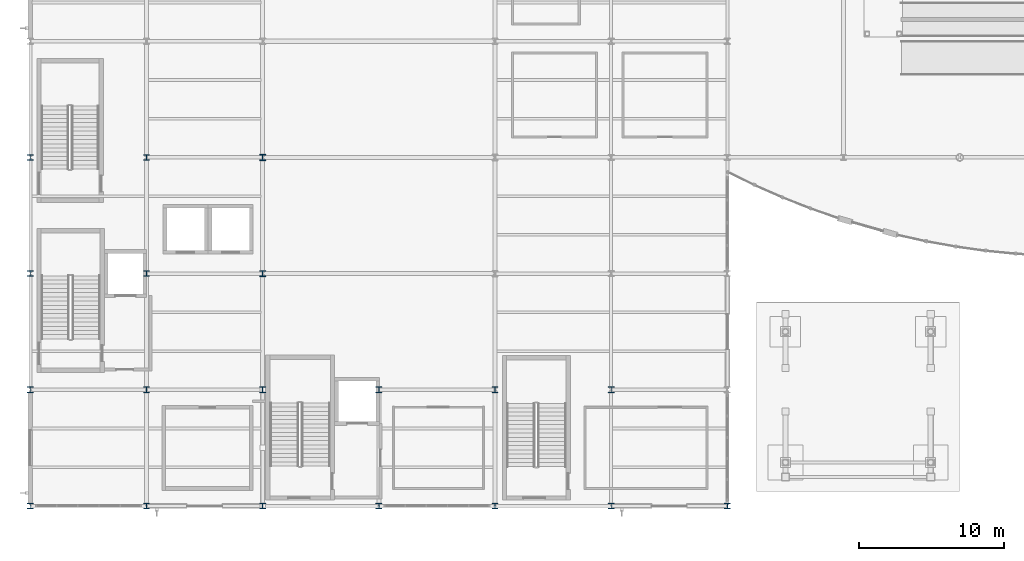
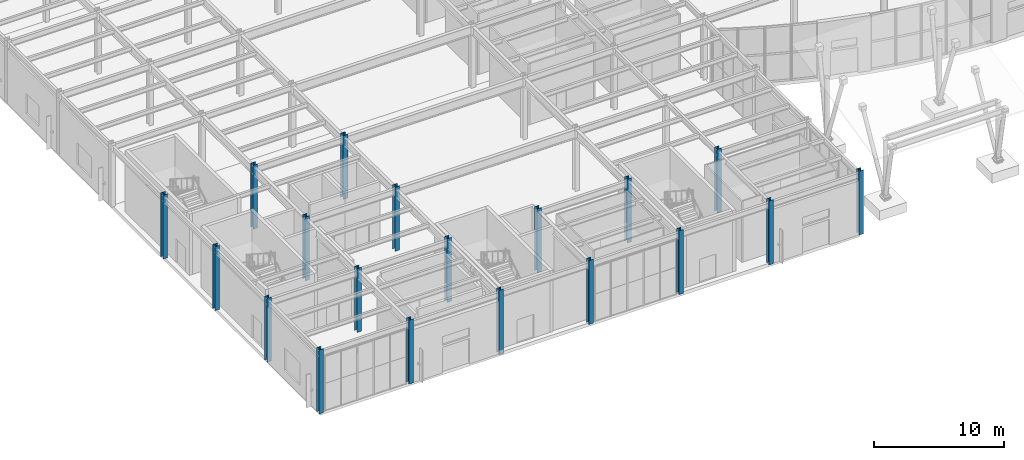
# One storey, part 5 of 82: 19 columns.
"""IFC4 building model written with IfcOpenShell, lengths in metres."""

import ifcopenshell
import ifcopenshell.guid

model = None  # the IFC model being written
_history = None  # IfcOwnerHistory: only IFC2X3 demands one
_inside = {}  # id of a spatial element -> (the spatial element, [elements in it])
_under = {}  # id of a project, library or spatial element -> (it, [spatial elements below it])
_declared = {}  # id of a project -> (the project, [libraries it declares])
_typed = {}  # id of a type object -> (the type object, [elements of that type])
_made_of = {}  # id of a material, layer set ... -> (it, [elements and type objects made of it])


def new_model(schema):
    """Start an empty IFC model of exactly this schema.

    Asked for "IFC4X3", IfcOpenShell would pick the latest addendum, in which some entities
    have other attributes; the version numbers below select the first issue.
    IFC2X3 requires an IfcOwnerHistory on every rooted entity: one is made here for all.
    """
    global model, _history
    if schema == "IFC4X3":
        model = ifcopenshell.file(schema_version=(4, 3, 0, 0))
    else:
        model = ifcopenshell.file(schema=schema)
    _inside.clear()
    _under.clear()
    _declared.clear()
    _typed.clear()
    _made_of.clear()
    _history = None
    if model.schema == "IFC2X3":
        org = make("IfcOrganization", Name="unknown")
        user = make(
            "IfcPersonAndOrganization",
            ThePerson=make("IfcPerson", FamilyName="unknown"),
            TheOrganization=org,
        )
        app = make(
            "IfcApplication",
            ApplicationDeveloper=org,
            Version="unknown",
            ApplicationFullName="unknown",
            ApplicationIdentifier="unknown",
        )
        _history = make(
            "IfcOwnerHistory",
            OwningUser=user,
            OwningApplication=app,
            ChangeAction="ADDED",
            CreationDate=0,
        )
    return model


def make(cls, **values):
    """One entity of the class cls with the attributes given. An attribute that is None is left unset."""
    return model.create_entity(
        cls, **{name: value for name, value in values.items() if value is not None}
    )


def rooted(cls, **values):
    """An entity with a GlobalId (a new one), such as an element, a storey or a relation."""
    return make(cls, GlobalId=ifcopenshell.guid.new(), OwnerHistory=_history, **values)


def si_unit(unit_type, name, prefix=None):
    """IfcSIUnit, for example si_unit("LENGTHUNIT", "METRE", prefix="MILLI")."""
    return make("IfcSIUnit", UnitType=unit_type, Prefix=prefix, Name=name)


def assignment(units):
    """IfcUnitAssignment: the units of a project."""
    return None if units is None else make("IfcUnitAssignment", Units=units)


def point(xyz):
    """IfcCartesianPoint."""
    return None if xyz is None else make("IfcCartesianPoint", Coordinates=xyz)


def direction(xyz):
    """IfcDirection."""
    return None if xyz is None else make("IfcDirection", DirectionRatios=xyz)


def frame(location, z_axis=None, x_axis=None):
    """IfcAxis2Placement3D, a coordinate frame: its origin and axes. An axis left out is left unset."""
    return make(
        "IfcAxis2Placement3D",
        Location=point(location),
        Axis=direction(z_axis),
        RefDirection=direction(x_axis),
    )


def frame_2d(location, x_axis=None):
    """IfcAxis2Placement2D, a coordinate frame in the plane: its origin and x axis."""
    return make(
        "IfcAxis2Placement2D", Location=point(location), RefDirection=direction(x_axis)
    )


def origin():
    """The frame at (0, 0, 0) with its axes left unset."""
    return frame((0.0, 0.0, 0.0))


def origin_2d():
    """The frame at (0, 0) in the plane with its x axis left unset."""
    return frame_2d((0.0, 0.0))


def place(relative_to, where):
    """IfcLocalPlacement: puts the frame where relative to a parent placement (None: the world)."""
    return make(
        "IfcLocalPlacement", PlacementRelTo=relative_to, RelativePlacement=where
    )


def context(
    kind, dimensions, precision=None, world=None, true_north=None, identifier=None
):
    """IfcGeometricRepresentationContext, for example the 3D "Model" context."""
    return make(
        "IfcGeometricRepresentationContext",
        ContextIdentifier=identifier,
        ContextType=kind,
        CoordinateSpaceDimension=dimensions,
        Precision=precision,
        WorldCoordinateSystem=world,
        TrueNorth=true_north,
    )


def subcontext(parent, identifier, kind, view, scale=None):
    """IfcGeometricRepresentationSubContext, for example "Body" below "Model"."""
    return make(
        "IfcGeometricRepresentationSubContext",
        ContextIdentifier=identifier,
        ContextType=kind,
        ParentContext=parent,
        TargetScale=scale,
        TargetView=view,
    )


def project(units=None, contexts=None):
    """IfcProject with its units and contexts."""
    return rooted(
        "IfcProject",
        Name="project",
        RepresentationContexts=contexts,
        UnitsInContext=assignment(units),
    )


def spatial(cls, under=None, at=None, **own):
    """A site, building, storey or space (cls), placed at a placement, below another one or the project."""
    s = rooted(cls, ObjectPlacement=at, **own)
    if under is not None:
        _under.setdefault(under.id(), (under, []))[1].append(s)
    return s


def profile(cls, at=None, kind="AREA", **sizes):
    """A parametric profile (cls). Its sizes go by their IFC names, for example OverallWidth=200.0."""
    return make(cls, ProfileType=kind, Position=at, **sizes)


def i_section(**sizes):
    """IfcIShapeProfileDef."""
    return profile("IfcIShapeProfileDef", **sizes)


def extrude(swept, where, along, depth):
    """IfcExtrudedAreaSolid: the profile swept, set in the frame where, extruded along a direction by depth."""
    return make(
        "IfcExtrudedAreaSolid",
        SweptArea=swept,
        Position=where,
        ExtrudedDirection=direction(along),
        Depth=depth,
    )


def shape(context_of_items, identifier, shape_type, items):
    """IfcShapeRepresentation: the items that make up one representation, for example the "Body"."""
    return make(
        "IfcShapeRepresentation",
        ContextOfItems=context_of_items,
        RepresentationIdentifier=identifier,
        RepresentationType=shape_type,
        Items=items,
    )


def material(Name=None, Category=None):
    """IfcMaterial."""
    return make("IfcMaterial", Name=Name, Category=Category)


def material_profile(
    of_material, cross_section, Name=None, Category=None, Priority=None
):
    """IfcMaterialProfile: a cross section and its material."""
    return make(
        "IfcMaterialProfile",
        Name=Name,
        Material=of_material,
        Profile=cross_section,
        Priority=Priority,
        Category=Category,
    )


def profile_set(profiles, Name=None, composite=None):
    """IfcMaterialProfileSet."""
    return make(
        "IfcMaterialProfileSet",
        Name=Name,
        MaterialProfiles=profiles,
        CompositeProfile=composite,
    )


def made_of(thing, what):
    """Note that an element or type object is made of a material, layer set ...; save() writes the relation."""
    if what is not None:
        _made_of.setdefault(what.id(), (what, []))[1].append(thing)
    return thing


def type_object(cls, material=None, **own):
    """A type object (cls), such as IfcWallType, which elements share."""
    return made_of(rooted(cls, **own), material)


def element(
    cls,
    number,
    at=None,
    inside=None,
    cuts=None,
    type_object=None,
    material=None,
    context=None,
    identifier="Body",
    shape_type=None,
    held_by="IfcProductDefinitionShape",
    body=None,
    shapes=None,
    **own,
):
    """One element of the class cls, such as IfcWall. Its Tag is "e" and its number.

    at: its placement. inside: the storey or other place that contains it. cuts: it is an
    opening in that element (IfcRelVoidsElement). A single representation is given by context,
    identifier, shape_type and body (its items); several are given by shapes. held_by: the class
    of the entity that holds the representations. save() writes the other relations.
    """
    e = rooted(cls, Tag="e%d" % number, ObjectPlacement=at, **own)
    if body is not None:
        shapes = [shape(context, identifier, shape_type, body)]
    if shapes is not None:
        e.Representation = make(held_by, Representations=shapes)
    if inside is not None:
        _inside.setdefault(inside.id(), (inside, []))[1].append(e)
    if cuts is not None:
        rooted(
            "IfcRelVoidsElement", RelatingBuildingElement=cuts, RelatedOpeningElement=e
        )
    if type_object is not None:
        _typed.setdefault(type_object.id(), (type_object, []))[1].append(e)
    return made_of(e, material)


def aggregate(whole, parts):
    """IfcRelAggregates: a whole, such as a stair, and the parts it consists of."""
    return rooted("IfcRelAggregates", RelatingObject=whole, RelatedObjects=parts)


def save(model, path):
    """Write the relations noted so far, then the file.

    IfcRelAggregates (storeys below a building ...), IfcRelContainedInSpatialStructure (elements
    in a storey), IfcRelDefinesByType, IfcRelAssociatesMaterial and IfcRelDeclares: one each for
    every whole, place, type object, material and project.
    """
    for whole, parts in _under.values():
        aggregate(whole, parts)
    for where, things in _inside.values():
        rooted(
            "IfcRelContainedInSpatialStructure",
            RelatedElements=things,
            RelatingStructure=where,
        )
    for kind, things in _typed.values():
        rooted("IfcRelDefinesByType", RelatedObjects=things, RelatingType=kind)
    for what, things in _made_of.values():
        rooted("IfcRelAssociatesMaterial", RelatedObjects=things, RelatingMaterial=what)
    for by, libraries in _declared.values():
        rooted("IfcRelDeclares", RelatingContext=by, RelatedDefinitions=libraries)
    model.write(path)


model = new_model("IFC4")

# Units and contexts
model_context = context("Model", 3, precision=1e-05, world=origin(), true_north=direction((0.0, 1.0)))
body_context = subcontext(model_context, "Body", "Model", "MODEL_VIEW")
ifc_project = project(units=[si_unit("LENGTHUNIT", "METRE"), si_unit("AREAUNIT", "SQUARE_METRE"), si_unit("VOLUMEUNIT", "CUBIC_METRE"), si_unit("PLANEANGLEUNIT", "RADIAN"), si_unit("MASSUNIT", "GRAM", prefix="KILO")], contexts=[model_context])

# Site, building, storey
site_placement = place(None, origin())
site = spatial("IfcSite", under=ifc_project, at=site_placement, CompositionType="ELEMENT")
building_placement = place(site_placement, origin())
building = spatial("IfcBuilding", under=site, at=building_placement, Name="Drelvath Fold Interchange", CompositionType="ELEMENT")
storey_placement = place(building_placement, origin())
storey = spatial("IfcBuildingStorey", under=building, at=storey_placement, Name="L00", CompositionType="ELEMENT", Elevation=0.0)

# Columns
ifc_material = material(Name="Steel ASTM A992 Grade 50", Category="steel")
ifc_material_profile_1 = material_profile(ifc_material, i_section(OverallWidth=0.39892578125, OverallDepth=0.39306640625, WebThickness=0.022705078125, FlangeThickness=0.03662109375, at=origin_2d()), Name="W14X193")
ifc_profile_set_1 = profile_set([ifc_material_profile_1], Name="Steel ASTM A992 Grade 50")
column_type_1 = type_object("IfcColumnType", Name="COL-W14X193", PredefinedType="COLUMN", material=ifc_profile_set_1)
for number, where, z_axis, x_axis, name in (
    (1, (4.0, 3.0, 0.0), (0.0, 0.0, 1.0), (1.0, 0.0, 0.0), "L00 column (4,3)"),
    (2, (4.0, 11.0, 0.0), (0.0, 0.0, 1.0), (1.0, 0.0, 0.0), "L00 column (4,11)"),
    (3, (4.0, 19.0, 0.0), (0.0, 0.0, 1.0), (1.0, 0.0, 0.0), "L00 column (4,19)"),
    (4, (4.0, 27.0, 0.0), (0.0, 0.0, 1.0), (1.0, 0.0, 0.0), "L00 column (4,27)"),
    (5, (12.0, 3.0, 0.0), (0.0, 0.0, 1.0), (1.0, 0.0, 0.0), "L00 column (12,3)"),
    (6, (12.0, 11.0, 0.0), (0.0, 0.0, 1.0), (1.0, 0.0, 0.0), "L00 column (12,11)"),
    (7, (12.0, 19.0, 0.0), (0.0, 0.0, 1.0), (1.0, 0.0, 0.0), "L00 column (12,19)"),
    (8, (12.0, 27.0, 0.0), (0.0, 0.0, 1.0), (1.0, 0.0, 0.0), "L00 column (12,27)"),
    (9, (20.0, 3.0, 0.0), (0.0, 0.0, 1.0), (1.0, 0.0, 0.0), "L00 column (20,3)"),
    (10, (20.0, 11.0, 0.0), (0.0, 0.0, 1.0), (1.0, 0.0, 0.0), "L00 column (20,11)"),
    (11, (28.0, 3.0, 0.0), (0.0, 0.0, 1.0), (1.0, 0.0, 0.0), "L00 column (28,3)"),
    (12, (28.0, 11.0, 0.0), (0.0, 0.0, 1.0), (1.0, 0.0, 0.0), "L00 column (28,11)"),
    (13, (36.0, 3.0, 0.0), (0.0, 0.0, 1.0), (1.0, 0.0, 0.0), "L00 column (36,3)"),
    (14, (36.0, 11.0, 0.0), (0.0, 0.0, 1.0), (1.0, 0.0, 0.0), "L00 column (36,11)"),
    (15, (44.0, 3.0, 0.0), (0.0, 0.0, 1.0), (1.0, 0.0, 0.0), "L00 column (44,3)"),
    (16, (44.0, 11.0, 0.0), (0.0, 0.0, 1.0), (1.0, 0.0, 0.0), "L00 column (44,11)"),
    (17, (52.0, 3.0, 0.0), (0.0, 0.0, 1.0), (1.0, 0.0, 0.0), "L00 column (52,3)"),
):
    element("IfcColumn", number, at=place(storey_placement, frame(where, z_axis=z_axis, x_axis=x_axis)), inside=storey, type_object=column_type_1, Name=name, PredefinedType="COLUMN", context=body_context, shape_type="SweptSolid", body=[
        extrude(i_section(OverallWidth=0.39892578125, OverallDepth=0.39306640625, WebThickness=0.022705078125, FlangeThickness=0.03662109375, at=origin_2d()), origin(), (0.0, 0.0, 1.0), 6.0),
    ])
ifc_material_profile_2 = material_profile(ifc_material, i_section(OverallWidth=0.408935546875, OverallDepth=0.425048828125, WebThickness=0.03271484375, FlangeThickness=0.052490234375, at=origin_2d()), Name="W14X283")
ifc_profile_set_2 = profile_set([ifc_material_profile_2], Name="Steel ASTM A992 Grade 50")
column_type_2 = type_object("IfcColumnType", Name="COL-W14X283", PredefinedType="COLUMN", material=ifc_profile_set_2)
for number, where, z_axis, x_axis, name in (
    (18, (20.0, 19.0, 0.0), (0.0, 0.0, 1.0), (1.0, 0.0, 0.0), "L00 column (20,19)"),
    (19, (20.0, 27.0, 0.0), (0.0, 0.0, 1.0), (1.0, 0.0, 0.0), "L00 column (20,27)"),
):
    element("IfcColumn", number, at=place(storey_placement, frame(where, z_axis=z_axis, x_axis=x_axis)), inside=storey, type_object=column_type_2, Name=name, PredefinedType="COLUMN", context=body_context, shape_type="SweptSolid", body=[
        extrude(i_section(OverallWidth=0.408935546875, OverallDepth=0.425048828125, WebThickness=0.03271484375, FlangeThickness=0.052490234375, at=origin_2d()), origin(), (0.0, 0.0, 1.0), 6.0),
    ])

save(model, "model.ifc")
